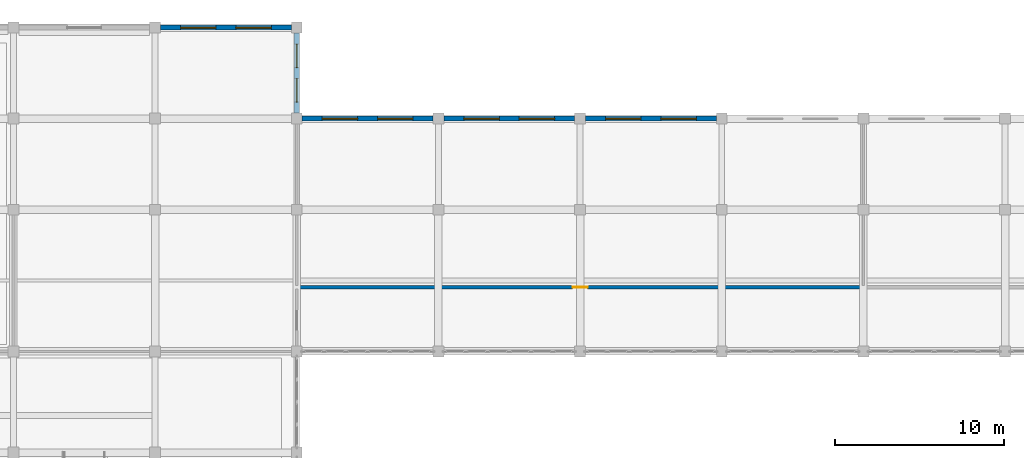
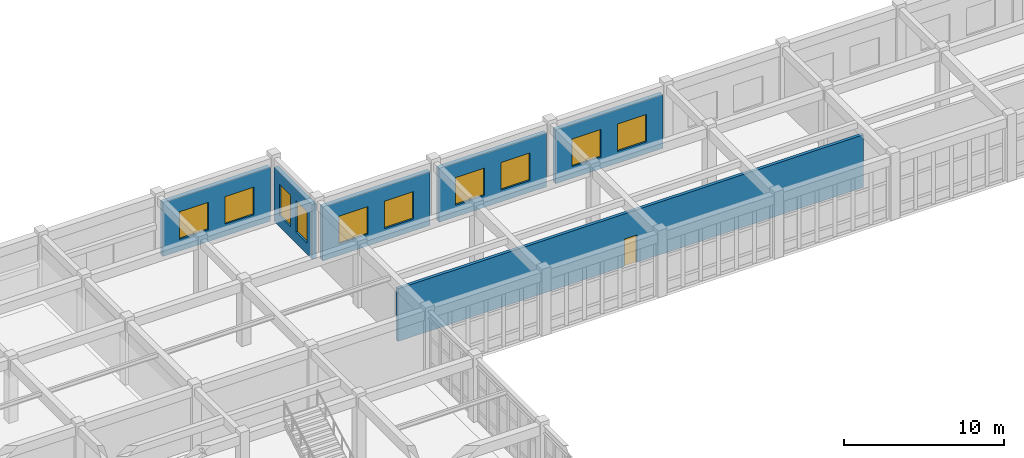
# One storey, part 62 of 80: 10 windows, 6 walls, 1 door, 11 openings.
"""IFC4 building model written with IfcOpenShell, lengths in metres."""

from ifc_helpers import new_model, si_unit, direction, frame, frame_2d, origin, place, context, subcontext, project, spatial, rectangle, extrude, material, layer, layer_set, type_object, element, fill, save


model = new_model("IFC4")

# Units and contexts
model_context = context("Model", 3, precision=1e-05, world=origin(), true_north=direction((0.0, 1.0)))
body_context = subcontext(model_context, "Body", "Model", "MODEL_VIEW")
ifc_project = project(units=[si_unit("LENGTHUNIT", "METRE"), si_unit("AREAUNIT", "SQUARE_METRE"), si_unit("VOLUMEUNIT", "CUBIC_METRE"), si_unit("PLANEANGLEUNIT", "RADIAN"), si_unit("MASSUNIT", "GRAM", prefix="KILO")], contexts=[model_context])

# Site, building, storey
site_placement = place(None, origin())
site = spatial("IfcSite", under=ifc_project, at=site_placement, CompositionType="ELEMENT")
building_placement = place(site_placement, origin())
building = spatial("IfcBuilding", under=site, at=building_placement, Name="Krzemoval Escarpment Law Courts", CompositionType="ELEMENT")
storey_placement = place(building_placement, origin())
storey = spatial("IfcBuildingStorey", under=building, at=storey_placement, Name="L00", CompositionType="ELEMENT", Elevation=0.0)

# Wall, openings, windows
ifc_material_1 = material(Name="Precast concrete C40/50", Category="concrete")
ifc_layer_1 = layer(ifc_material_1, 0.300048828125)
ifc_layer_set_1 = layer_set([ifc_layer_1], Name="Precast concrete C40/50")
wall_type_1 = type_object("IfcWallType", Name="WL-EXT-300", PredefinedType="SOLIDWALL", material=ifc_layer_set_1)
wall_1_placement = place(storey_placement, frame((33.925048828125, 118.800048828125, 0.0), z_axis=(0.0, 0.0, 1.0), x_axis=(1.0, 0.0, 0.0)))
wall_1 = element("IfcWall", 1, at=wall_1_placement, inside=storey, type_object=wall_type_1, Name="Exterior Wall EW-L00-0077", PredefinedType="SOLIDWALL", context=body_context, shape_type="SweptSolid", body=[
    extrude(rectangle(XDim=7.75, YDim=0.300048828125, at=frame_2d((3.875, 0.0))), origin(), (0.0, 0.0, 1.0), 4.1201171875),
])
opening_1_placement = place(wall_1_placement, frame((1.18310546875, 0.0, 0.89990234375)))
opening_1 = element("IfcOpeningElement", 2, at=opening_1_placement, cuts=wall_1, Name="Opening WN-L00-0005", PredefinedType="OPENING", context=body_context, shape_type="SweptSolid", body=[
    extrude(rectangle(XDim=2.10009765625, YDim=2.10009765625, at=frame_2d((1.050048828125, 1.050048828125))), frame((0.0, 0.16502, 0.0), z_axis=(0.0, -1.0, 0.0), x_axis=(1.0, 0.0, 0.0)), (0.0, 0.0, 1.0), 0.33005),
])
opening_2_placement = place(wall_1_placement, frame((4.467041015625, 0.0, 0.89990234375)))
opening_2 = element("IfcOpeningElement", 3, at=opening_2_placement, cuts=wall_1, Name="Opening WN-L00-0006", PredefinedType="OPENING", context=body_context, shape_type="SweptSolid", body=[
    extrude(rectangle(XDim=2.10009765625, YDim=2.10009765625, at=frame_2d((1.050048828125, 1.050048828125))), frame((0.0, 0.16502, 0.0), z_axis=(0.0, -1.0, 0.0), x_axis=(1.0, 0.0, 0.0)), (0.0, 0.0, 1.0), 0.33005),
])
ifc_material_2 = material(Name="Thermally Broken Aluminium Frame with Triple Low-E Acoustic Glass", Category="aluminium")
window_type_1 = type_object("IfcWindowType", Name="WN-2100x2100", PartitioningType="SINGLE_PANEL", PredefinedType="WINDOW", material=ifc_material_2)
window_1_placement = place(opening_1_placement, origin())
window_1 = element("IfcWindow", 4, at=window_1_placement, inside=storey, type_object=window_type_1, Name="Facade Window WN-L00-0005", OverallHeight=2.10009765625, OverallWidth=2.10009765625, PartitioningType="SINGLE_PANEL", PredefinedType="WINDOW", context=body_context, shape_type="SweptSolid", body=[
    extrude(rectangle(XDim=2.10009765625, YDim=2.10009765625, at=frame_2d((1.050048828125, 1.050048828125))), frame((0.0, 0.030029296875, 0.0), z_axis=(0.0, -1.0, 0.0), x_axis=(1.0, 0.0, 0.0)), (0.0, 0.0, 1.0), 0.06005859375),
])
fill(opening_1, window_1)
window_2_placement = place(opening_2_placement, origin())
window_2 = element("IfcWindow", 5, at=window_2_placement, inside=storey, type_object=window_type_1, Name="Facade Window WN-L00-0006", OverallHeight=2.10009765625, OverallWidth=2.10009765625, PartitioningType="SINGLE_PANEL", PredefinedType="WINDOW", context=body_context, shape_type="SweptSolid", body=[
    extrude(rectangle(XDim=2.10009765625, YDim=2.10009765625, at=frame_2d((1.050048828125, 1.050048828125))), frame((0.0, 0.030029296875, 0.0), z_axis=(0.0, -1.0, 0.0), x_axis=(1.0, 0.0, 0.0)), (0.0, 0.0, 1.0), 0.06005859375),
])
fill(opening_2, window_2)

wall_2_placement = place(storey_placement, frame((42.0, 118.47509765625, 0.0), z_axis=(0.0, 0.0, 1.0), x_axis=(0.0, -1.0, 0.0)))
wall_2 = element("IfcWall", 6, at=wall_2_placement, inside=storey, type_object=wall_type_1, Name="Exterior Wall EW-L00-0078", PredefinedType="SOLIDWALL", context=body_context, shape_type="SweptSolid", body=[
    extrude(rectangle(XDim=4.75, YDim=0.300048828125, at=frame_2d((2.375, 0.0))), origin(), (0.0, 0.0, 1.0), 4.169921875),
])
opening_3_placement = place(wall_2_placement, frame((0.64990234375, 0.0, 0.85009765625)))
opening_3 = element("IfcOpeningElement", 7, at=opening_3_placement, cuts=wall_2, Name="Opening WN-L00-0007", PredefinedType="OPENING", context=body_context, shape_type="SweptSolid", body=[
    extrude(rectangle(XDim=1.39990234375, YDim=2.39990234375, at=frame_2d((0.699951171875, 1.199951171875))), frame((0.0, 0.16502, 0.0), z_axis=(0.0, -1.0, 0.0), x_axis=(1.0, 0.0, 0.0)), (0.0, 0.0, 1.0), 0.33005),
])
opening_4_placement = place(wall_2_placement, frame((2.699951171875, 0.0, 0.85009765625)))
opening_4 = element("IfcOpeningElement", 8, at=opening_4_placement, cuts=wall_2, Name="Opening WN-L00-0008", PredefinedType="OPENING", context=body_context, shape_type="SweptSolid", body=[
    extrude(rectangle(XDim=1.39990234375, YDim=2.39990234375, at=frame_2d((0.699951171875, 1.199951171875))), frame((0.0, 0.16502, 0.0), z_axis=(0.0, -1.0, 0.0), x_axis=(1.0, 0.0, 0.0)), (0.0, 0.0, 1.0), 0.33005),
])
ifc_material_3 = material(Name="Thermally Broken Aluminium Frame with Triple Low-E Acoustic Glass", Category="aluminium")
window_type_2 = type_object("IfcWindowType", Name="WN-1400x2400", PartitioningType="SINGLE_PANEL", PredefinedType="WINDOW", material=ifc_material_3)
window_3_placement = place(opening_3_placement, origin())
window_3 = element("IfcWindow", 9, at=window_3_placement, inside=storey, type_object=window_type_2, Name="Facade Window WN-L00-0007", OverallHeight=2.39990234375, OverallWidth=1.39990234375, PartitioningType="SINGLE_PANEL", PredefinedType="WINDOW", context=body_context, shape_type="SweptSolid", body=[
    extrude(rectangle(XDim=1.39990234375, YDim=2.39990234375, at=frame_2d((0.699951171875, 1.199951171875))), frame((0.0, 0.030029296875, 0.0), z_axis=(0.0, -1.0, 0.0), x_axis=(1.0, 0.0, 0.0)), (0.0, 0.0, 1.0), 0.06005859375),
])
fill(opening_3, window_3)
window_4_placement = place(opening_4_placement, origin())
window_4 = element("IfcWindow", 10, at=window_4_placement, inside=storey, type_object=window_type_2, Name="Facade Window WN-L00-0008", OverallHeight=2.39990234375, OverallWidth=1.39990234375, PartitioningType="SINGLE_PANEL", PredefinedType="WINDOW", context=body_context, shape_type="SweptSolid", body=[
    extrude(rectangle(XDim=1.39990234375, YDim=2.39990234375, at=frame_2d((0.699951171875, 1.199951171875))), frame((0.0, 0.030029296875, 0.0), z_axis=(0.0, -1.0, 0.0), x_axis=(1.0, 0.0, 0.0)), (0.0, 0.0, 1.0), 0.06005859375),
])
fill(opening_4, window_4)

wall_3_placement = place(storey_placement, frame((42.324951171875, 113.39990234375, 0.0), z_axis=(0.0, 0.0, 1.0), x_axis=(1.0, 0.0, 0.0)))
wall_3 = element("IfcWall", 11, at=wall_3_placement, inside=storey, type_object=wall_type_1, Name="Exterior Wall EW-L00-0079", PredefinedType="SOLIDWALL", context=body_context, shape_type="SweptSolid", body=[
    extrude(rectangle(XDim=7.75, YDim=0.300048828125, at=frame_2d((3.875, 0.0))), origin(), (0.0, 0.0, 1.0), 4.1201171875),
])
opening_5_placement = place(wall_3_placement, frame((1.18310546875, 0.0, 0.89990234375)))
opening_5 = element("IfcOpeningElement", 12, at=opening_5_placement, cuts=wall_3, Name="Opening WN-L00-0009", PredefinedType="OPENING", context=body_context, shape_type="SweptSolid", body=[
    extrude(rectangle(XDim=2.10009765625, YDim=2.10009765625, at=frame_2d((1.050048828125, 1.050048828125))), frame((0.0, 0.16502, 0.0), z_axis=(0.0, -1.0, 0.0), x_axis=(1.0, 0.0, 0.0)), (0.0, 0.0, 1.0), 0.33005),
])
opening_6_placement = place(wall_3_placement, frame((4.467041015625, 0.0, 0.89990234375)))
opening_6 = element("IfcOpeningElement", 13, at=opening_6_placement, cuts=wall_3, Name="Opening WN-L00-0010", PredefinedType="OPENING", context=body_context, shape_type="SweptSolid", body=[
    extrude(rectangle(XDim=2.10009765625, YDim=2.10009765625, at=frame_2d((1.050048828125, 1.050048828125))), frame((0.0, 0.16502, 0.0), z_axis=(0.0, -1.0, 0.0), x_axis=(1.0, 0.0, 0.0)), (0.0, 0.0, 1.0), 0.33005),
])
window_5_placement = place(opening_5_placement, origin())
window_5 = element("IfcWindow", 14, at=window_5_placement, inside=storey, type_object=window_type_1, Name="Facade Window WN-L00-0009", OverallHeight=2.10009765625, OverallWidth=2.10009765625, PartitioningType="SINGLE_PANEL", PredefinedType="WINDOW", context=body_context, shape_type="SweptSolid", body=[
    extrude(rectangle(XDim=2.10009765625, YDim=2.10009765625, at=frame_2d((1.050048828125, 1.050048828125))), frame((0.0, 0.030029296875, 0.0), z_axis=(0.0, -1.0, 0.0), x_axis=(1.0, 0.0, 0.0)), (0.0, 0.0, 1.0), 0.06005859375),
])
fill(opening_5, window_5)
window_6_placement = place(opening_6_placement, origin())
window_6 = element("IfcWindow", 15, at=window_6_placement, inside=storey, type_object=window_type_1, Name="Facade Window WN-L00-0010", OverallHeight=2.10009765625, OverallWidth=2.10009765625, PartitioningType="SINGLE_PANEL", PredefinedType="WINDOW", context=body_context, shape_type="SweptSolid", body=[
    extrude(rectangle(XDim=2.10009765625, YDim=2.10009765625, at=frame_2d((1.050048828125, 1.050048828125))), frame((0.0, 0.030029296875, 0.0), z_axis=(0.0, -1.0, 0.0), x_axis=(1.0, 0.0, 0.0)), (0.0, 0.0, 1.0), 0.06005859375),
])
fill(opening_6, window_6)

wall_4_placement = place(storey_placement, frame((50.72509765625, 113.39990234375, 0.0), z_axis=(0.0, 0.0, 1.0), x_axis=(1.0, 0.0, 0.0)))
wall_4 = element("IfcWall", 16, at=wall_4_placement, inside=storey, type_object=wall_type_1, Name="Exterior Wall EW-L00-0080", PredefinedType="SOLIDWALL", context=body_context, shape_type="SweptSolid", body=[
    extrude(rectangle(XDim=7.75, YDim=0.300048828125, at=frame_2d((3.875, 0.0))), origin(), (0.0, 0.0, 1.0), 4.1201171875),
])
opening_7_placement = place(wall_4_placement, frame((1.18310546875, 0.0, 0.89990234375)))
opening_7 = element("IfcOpeningElement", 17, at=opening_7_placement, cuts=wall_4, Name="Opening WN-L00-0011", PredefinedType="OPENING", context=body_context, shape_type="SweptSolid", body=[
    extrude(rectangle(XDim=2.10009765625, YDim=2.10009765625, at=frame_2d((1.050048828125, 1.050048828125))), frame((0.0, 0.16502, 0.0), z_axis=(0.0, -1.0, 0.0), x_axis=(1.0, 0.0, 0.0)), (0.0, 0.0, 1.0), 0.33005),
])
opening_8_placement = place(wall_4_placement, frame((4.467041015625, 0.0, 0.89990234375)))
opening_8 = element("IfcOpeningElement", 18, at=opening_8_placement, cuts=wall_4, Name="Opening WN-L00-0012", PredefinedType="OPENING", context=body_context, shape_type="SweptSolid", body=[
    extrude(rectangle(XDim=2.10009765625, YDim=2.10009765625, at=frame_2d((1.050048828125, 1.050048828125))), frame((0.0, 0.16502, 0.0), z_axis=(0.0, -1.0, 0.0), x_axis=(1.0, 0.0, 0.0)), (0.0, 0.0, 1.0), 0.33005),
])
window_7_placement = place(opening_7_placement, origin())
window_7 = element("IfcWindow", 19, at=window_7_placement, inside=storey, type_object=window_type_1, Name="Facade Window WN-L00-0011", OverallHeight=2.10009765625, OverallWidth=2.10009765625, PartitioningType="SINGLE_PANEL", PredefinedType="WINDOW", context=body_context, shape_type="SweptSolid", body=[
    extrude(rectangle(XDim=2.10009765625, YDim=2.10009765625, at=frame_2d((1.050048828125, 1.050048828125))), frame((0.0, 0.030029296875, 0.0), z_axis=(0.0, -1.0, 0.0), x_axis=(1.0, 0.0, 0.0)), (0.0, 0.0, 1.0), 0.06005859375),
])
fill(opening_7, window_7)
window_8_placement = place(opening_8_placement, origin())
window_8 = element("IfcWindow", 20, at=window_8_placement, inside=storey, type_object=window_type_1, Name="Facade Window WN-L00-0012", OverallHeight=2.10009765625, OverallWidth=2.10009765625, PartitioningType="SINGLE_PANEL", PredefinedType="WINDOW", context=body_context, shape_type="SweptSolid", body=[
    extrude(rectangle(XDim=2.10009765625, YDim=2.10009765625, at=frame_2d((1.050048828125, 1.050048828125))), frame((0.0, 0.030029296875, 0.0), z_axis=(0.0, -1.0, 0.0), x_axis=(1.0, 0.0, 0.0)), (0.0, 0.0, 1.0), 0.06005859375),
])
fill(opening_8, window_8)

wall_5_placement = place(storey_placement, frame((59.125, 113.39990234375, 0.0), z_axis=(0.0, 0.0, 1.0), x_axis=(1.0, 0.0, 0.0)))
wall_5 = element("IfcWall", 21, at=wall_5_placement, inside=storey, type_object=wall_type_1, Name="Exterior Wall EW-L00-0081", PredefinedType="SOLIDWALL", context=body_context, shape_type="SweptSolid", body=[
    extrude(rectangle(XDim=7.75, YDim=0.300048828125, at=frame_2d((3.875, 0.0))), origin(), (0.0, 0.0, 1.0), 4.1201171875),
])
opening_9_placement = place(wall_5_placement, frame((1.18310546875, 0.0, 0.89990234375)))
opening_9 = element("IfcOpeningElement", 22, at=opening_9_placement, cuts=wall_5, Name="Opening WN-L00-0013", PredefinedType="OPENING", context=body_context, shape_type="SweptSolid", body=[
    extrude(rectangle(XDim=2.10009765625, YDim=2.10009765625, at=frame_2d((1.050048828125, 1.050048828125))), frame((0.0, 0.16502, 0.0), z_axis=(0.0, -1.0, 0.0), x_axis=(1.0, 0.0, 0.0)), (0.0, 0.0, 1.0), 0.33005),
])
opening_10_placement = place(wall_5_placement, frame((4.467041015625, 0.0, 0.89990234375)))
opening_10 = element("IfcOpeningElement", 23, at=opening_10_placement, cuts=wall_5, Name="Opening WN-L00-0014", PredefinedType="OPENING", context=body_context, shape_type="SweptSolid", body=[
    extrude(rectangle(XDim=2.10009765625, YDim=2.10009765625, at=frame_2d((1.050048828125, 1.050048828125))), frame((0.0, 0.16502, 0.0), z_axis=(0.0, -1.0, 0.0), x_axis=(1.0, 0.0, 0.0)), (0.0, 0.0, 1.0), 0.33005),
])
window_9_placement = place(opening_9_placement, origin())
window_9 = element("IfcWindow", 24, at=window_9_placement, inside=storey, type_object=window_type_1, Name="Facade Window WN-L00-0013", OverallHeight=2.10009765625, OverallWidth=2.10009765625, PartitioningType="SINGLE_PANEL", PredefinedType="WINDOW", context=body_context, shape_type="SweptSolid", body=[
    extrude(rectangle(XDim=2.10009765625, YDim=2.10009765625, at=frame_2d((1.050048828125, 1.050048828125))), frame((0.0, 0.030029296875, 0.0), z_axis=(0.0, -1.0, 0.0), x_axis=(1.0, 0.0, 0.0)), (0.0, 0.0, 1.0), 0.06005859375),
])
fill(opening_9, window_9)
window_10_placement = place(opening_10_placement, origin())
window_10 = element("IfcWindow", 25, at=window_10_placement, inside=storey, type_object=window_type_1, Name="Facade Window WN-L00-0014", OverallHeight=2.10009765625, OverallWidth=2.10009765625, PartitioningType="SINGLE_PANEL", PredefinedType="WINDOW", context=body_context, shape_type="SweptSolid", body=[
    extrude(rectangle(XDim=2.10009765625, YDim=2.10009765625, at=frame_2d((1.050048828125, 1.050048828125))), frame((0.0, 0.030029296875, 0.0), z_axis=(0.0, -1.0, 0.0), x_axis=(1.0, 0.0, 0.0)), (0.0, 0.0, 1.0), 0.06005859375),
])
fill(opening_10, window_10)

# Wall, opening, door
ifc_material_4 = material(Name="Solid Calcium-Silicate Custody Blockwork Partition", Category="masonry")
ifc_layer_2 = layer(ifc_material_4, 0.219970703125)
ifc_layer_set_2 = layer_set([ifc_layer_2], Name="Solid Calcium-Silicate Custody Blockwork Partition")
wall_type_2 = type_object("IfcWallType", Name="WL-PRT-220", PredefinedType="PARTITIONING", material=ifc_layer_set_2)
wall_6_placement = place(storey_placement, frame((42.0, 103.39990234375, 0.0), z_axis=(0.0, 0.0, 1.0), x_axis=(1.0, 0.0, 0.0)))
wall_6 = element("IfcWall", 26, at=wall_6_placement, inside=storey, type_object=wall_type_2, Name="Interior Partition PW-L00-0143", PredefinedType="PARTITIONING", context=body_context, shape_type="SweptSolid", body=[
    extrude(rectangle(XDim=33.60009765625, YDim=0.219970703125, at=frame_2d((16.800048828125, 0.0))), origin(), (0.0, 0.0, 1.0), 4.02001953125),
])
opening_11_placement = place(wall_6_placement, frame((16.35009765625, 0.0, 0.0)))
opening_11 = element("IfcOpeningElement", 27, at=opening_11_placement, cuts=wall_6, Name="Opening D-L00-0067", PredefinedType="OPENING", context=body_context, shape_type="SweptSolid", body=[
    extrude(rectangle(XDim=0.89990234375, YDim=2.10009765625, at=frame_2d((0.449951171875, 1.050048828125))), frame((0.0, 0.12499, 0.0), z_axis=(0.0, -1.0, 0.0), x_axis=(1.0, 0.0, 0.0)), (0.0, 0.0, 1.0), 0.24997),
])
ifc_material_5 = material(Name="Engineered Solid-Core Oak Acoustic Timber", Category="wood")
door_type = type_object("IfcDoorType", Name="DR-INT-900x2100", OperationType="SINGLE_SWING_LEFT", PredefinedType="DOOR", material=ifc_material_5)
door_placement = place(opening_11_placement, origin())
door = element("IfcDoor", 28, at=door_placement, inside=storey, type_object=door_type, Name="Room Door D-L00-0067", OperationType="SINGLE_SWING_RIGHT", OverallHeight=2.10009765625, OverallWidth=0.89990234375, PredefinedType="DOOR", context=body_context, shape_type="SweptSolid", body=[
    extrude(rectangle(XDim=0.89990234375, YDim=2.10009765625, at=frame_2d((0.449951171875, 1.050048828125))), frame((0.0, 0.02490234375, 0.0), z_axis=(0.0, -1.0, 0.0), x_axis=(1.0, 0.0, 0.0)), (0.0, 0.0, 1.0), 0.050048828125),
])
fill(opening_11, door)

save(model, "model.ifc")
